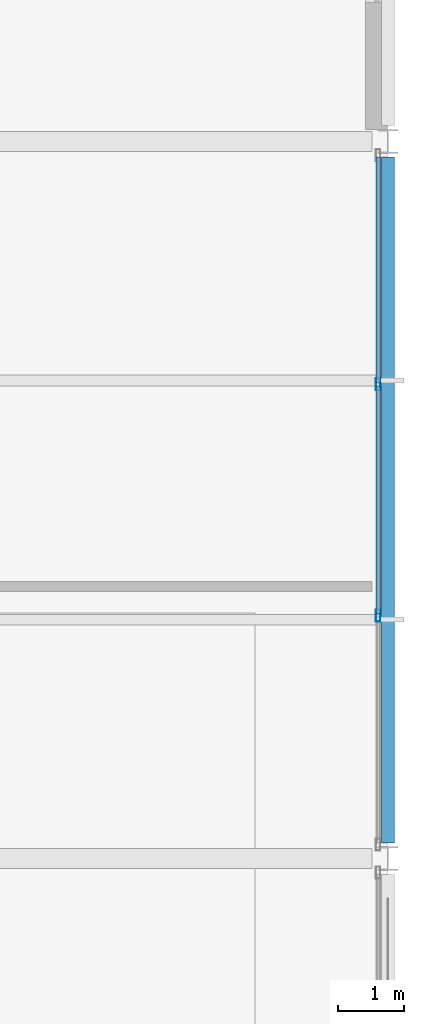
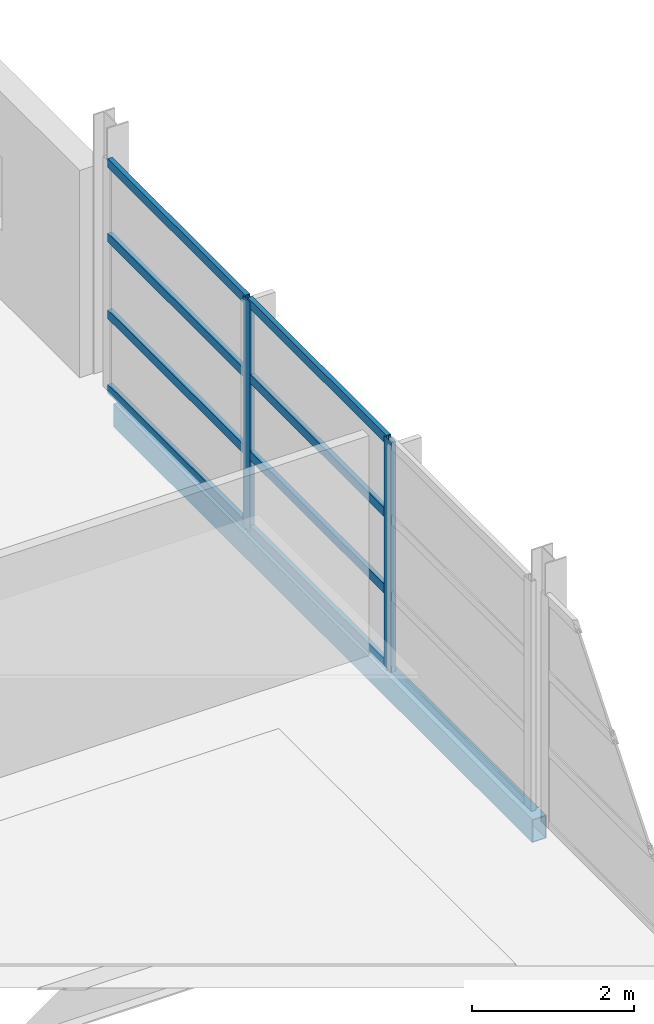
# One storey, part 15 of 33: 10 members, 1 beam, 1 element without a shape of its own.
"""IFC4 building model written with IfcOpenShell, lengths in metres."""

from ifc_helpers import new_model, si_unit, direction, frame, origin, origin_2d, place, context, subcontext, project, spatial, hollow_rectangle, extrude, material, layer, layer_set, material_profile, profile_set, type_object, element, aggregate, save


model = new_model("IFC4")

# Units and contexts
model_context = context("Model", 3, precision=1e-05, world=origin(), true_north=direction((0.0, 1.0)))
body_context = subcontext(model_context, "Body", "Model", "MODEL_VIEW")
ifc_project = project(units=[si_unit("LENGTHUNIT", "METRE"), si_unit("AREAUNIT", "SQUARE_METRE"), si_unit("VOLUMEUNIT", "CUBIC_METRE"), si_unit("PLANEANGLEUNIT", "RADIAN"), si_unit("MASSUNIT", "GRAM", prefix="KILO")], contexts=[model_context])

# Site, building, storey
site_placement = place(None, origin())
site = spatial("IfcSite", under=ifc_project, at=site_placement, CompositionType="ELEMENT")
building_placement = place(site_placement, origin())
building = spatial("IfcBuilding", under=site, at=building_placement, Name="Tamarisk Ironworks Central Station", CompositionType="ELEMENT")
storey_placement = place(building_placement, frame((0.0, 0.0, 21.300048828125)))
storey = spatial("IfcBuildingStorey", under=building, at=storey_placement, Name="L04", CompositionType="ELEMENT", Elevation=21.300048828125)

# Beam
ifc_material_1 = material(Name="Structural steel S355J2", Category="steel")
ifc_material_profile_1 = material_profile(ifc_material_1, hollow_rectangle(XDim=0.199951171875, YDim=0.35009765625, WallThickness=0.012451171875, at=origin_2d()), Name="RHS 350x200x12.5")
ifc_profile_set_1 = profile_set([ifc_material_profile_1], Name="Structural steel S355J2")
beam_type = type_object("IfcBeamType", Name="BM-SP01", PredefinedType="SPANDREL", material=ifc_profile_set_1)
beam_placement = place(storey_placement, frame((180.0, 101.0380859375, -0.39501953125), z_axis=(0.0, 1.0, 0.0), x_axis=(-1.0, 0.0, 0.0)))
element("IfcBeam", 1, at=beam_placement, inside=storey, type_object=beam_type, Name="L04 primary girder Y-0748", PredefinedType="SPANDREL", context=body_context, shape_type="SweptSolid", body=[
    extrude(hollow_rectangle(XDim=0.199951171875, YDim=0.35009765625, WallThickness=0.012451171875, at=origin_2d()), origin(), (0.0, 0.0, 1.0), 10.323974609375),
])

# Curtain wall, members
ifc_material_2 = material(Name="Anodized aluminium alloy 6063-T6", Category="aluminium")
ifc_layer = layer(ifc_material_2, 0.179931640625)
ifc_layer_set = layer_set([ifc_layer], Name="Anodized aluminium alloy 6063-T6")
curtain_wall_type = type_object("IfcCurtainWallType", Name="CW-22", PredefinedType="USERDEFINED", material=ifc_layer_set)
curtain_wall_placement = place(storey_placement, origin())
curtain_wall = element("IfcCurtainWall", 2, at=curtain_wall_placement, inside=storey, type_object=curtain_wall_type, Name="Operations L04 east facade curtain wall 100", ObjectType="GLAZED CURTAIN WALL", PredefinedType="USERDEFINED")
ifc_material_profile_2 = material_profile(ifc_material_2, hollow_rectangle(XDim=0.06494140625, YDim=0.179931640625, WallThickness=0.00390625, at=origin_2d()), Name="ALUM 180x65")
ifc_profile_set_2 = profile_set([ifc_material_profile_2], Name="Anodized aluminium alloy 6063-T6")
member_type_1 = type_object("IfcMemberType", Name="CWM-02", PredefinedType="MULLION", material=ifc_profile_set_2)
member_1_placement = place(storey_placement, frame((179.85009765625, 104.459228515625, 0.0), z_axis=(0.0, 0.0, 1.0), x_axis=(-1.0, 0.0, 0.0)))
member_1 = element("IfcMember", 3, at=member_1_placement, type_object=member_type_1, Name="CW22 mullion 2", PredefinedType="MULLION", context=body_context, shape_type="SweptSolid", body=[
    extrude(hollow_rectangle(XDim=0.06494140625, YDim=0.179931640625, WallThickness=0.00390625, at=origin_2d()), origin(), (0.0, 0.0, 1.0), 3.4599609375),
])
member_2_placement = place(storey_placement, frame((179.85009765625, 107.940673828125, 0.0), z_axis=(0.0, 0.0, 1.0), x_axis=(-1.0, 0.0, 0.0)))
member_2 = element("IfcMember", 4, at=member_2_placement, type_object=member_type_1, Name="CW22 mullion 3", PredefinedType="MULLION", context=body_context, shape_type="SweptSolid", body=[
    extrude(hollow_rectangle(XDim=0.06494140625, YDim=0.179931640625, WallThickness=0.00390625, at=origin_2d()), origin(), (0.0, 0.0, 1.0), 3.4599609375),
])
ifc_material_profile_3 = material_profile(ifc_material_2, hollow_rectangle(XDim=0.06494140625, YDim=0.135009765625, WallThickness=0.00341796875, at=origin_2d()), Name="ALUM 135x65")
ifc_profile_set_3 = profile_set([ifc_material_profile_3], Name="Anodized aluminium alloy 6063-T6")
member_type_2 = type_object("IfcMemberType", Name="CWT-02", PredefinedType="USERDEFINED", material=ifc_profile_set_3)
member_3_placement = place(storey_placement, frame((179.85009765625, 104.48779296875, 0.032470703125), z_axis=(0.0, 1.0, 0.0), x_axis=(-1.0, 0.0, 0.0)))
member_3 = element("IfcMember", 5, at=member_3_placement, type_object=member_type_2, Name="CW22 transom 2.1", ObjectType="TRANSOM", PredefinedType="USERDEFINED", context=body_context, shape_type="SweptSolid", body=[
    extrude(hollow_rectangle(XDim=0.06494140625, YDim=0.135009765625, WallThickness=0.00341796875, at=origin_2d()), origin(), (0.0, 0.0, 1.0), 3.42431640625),
])
member_4_placement = place(storey_placement, frame((179.85009765625, 104.48779296875, 1.1533203125), z_axis=(0.0, 1.0, 0.0), x_axis=(-1.0, 0.0, 0.0)))
member_4 = element("IfcMember", 6, at=member_4_placement, type_object=member_type_2, Name="CW22 transom 2.2", ObjectType="TRANSOM", PredefinedType="USERDEFINED", context=body_context, shape_type="SweptSolid", body=[
    extrude(hollow_rectangle(XDim=0.06494140625, YDim=0.135009765625, WallThickness=0.00341796875, at=origin_2d()), origin(), (0.0, 0.0, 1.0), 3.42431640625),
])
member_5_placement = place(storey_placement, frame((179.85009765625, 104.48779296875, 2.306640625), z_axis=(0.0, 1.0, 0.0), x_axis=(-1.0, 0.0, 0.0)))
member_5 = element("IfcMember", 7, at=member_5_placement, type_object=member_type_2, Name="CW22 transom 2.3", ObjectType="TRANSOM", PredefinedType="USERDEFINED", context=body_context, shape_type="SweptSolid", body=[
    extrude(hollow_rectangle(XDim=0.06494140625, YDim=0.135009765625, WallThickness=0.00341796875, at=origin_2d()), origin(), (0.0, 0.0, 1.0), 3.42431640625),
])
member_6_placement = place(storey_placement, frame((179.85009765625, 104.48779296875, 3.427490234375), z_axis=(0.0, 1.0, 0.0), x_axis=(-1.0, 0.0, 0.0)))
member_6 = element("IfcMember", 8, at=member_6_placement, type_object=member_type_2, Name="CW22 transom 2.4", ObjectType="TRANSOM", PredefinedType="USERDEFINED", context=body_context, shape_type="SweptSolid", body=[
    extrude(hollow_rectangle(XDim=0.06494140625, YDim=0.135009765625, WallThickness=0.00341796875, at=origin_2d()), origin(), (0.0, 0.0, 1.0), 3.42431640625),
])
member_7_placement = place(storey_placement, frame((179.85009765625, 107.96923828125, 0.032470703125), z_axis=(0.0, 1.0, 0.0), x_axis=(-1.0, 0.0, 0.0)))
member_7 = element("IfcMember", 9, at=member_7_placement, type_object=member_type_2, Name="CW22 transom 3.1", ObjectType="TRANSOM", PredefinedType="USERDEFINED", context=body_context, shape_type="SweptSolid", body=[
    extrude(hollow_rectangle(XDim=0.06494140625, YDim=0.135009765625, WallThickness=0.00341796875, at=origin_2d()), origin(), (0.0, 0.0, 1.0), 3.391845703125),
])
member_8_placement = place(storey_placement, frame((179.85009765625, 107.96923828125, 1.1533203125), z_axis=(0.0, 1.0, 0.0), x_axis=(-1.0, 0.0, 0.0)))
member_8 = element("IfcMember", 10, at=member_8_placement, type_object=member_type_2, Name="CW22 transom 3.2", ObjectType="TRANSOM", PredefinedType="USERDEFINED", context=body_context, shape_type="SweptSolid", body=[
    extrude(hollow_rectangle(XDim=0.06494140625, YDim=0.135009765625, WallThickness=0.00341796875, at=origin_2d()), origin(), (0.0, 0.0, 1.0), 3.391845703125),
])
member_9_placement = place(storey_placement, frame((179.85009765625, 107.96923828125, 2.306640625), z_axis=(0.0, 1.0, 0.0), x_axis=(-1.0, 0.0, 0.0)))
member_9 = element("IfcMember", 11, at=member_9_placement, type_object=member_type_2, Name="CW22 transom 3.3", ObjectType="TRANSOM", PredefinedType="USERDEFINED", context=body_context, shape_type="SweptSolid", body=[
    extrude(hollow_rectangle(XDim=0.06494140625, YDim=0.135009765625, WallThickness=0.00341796875, at=origin_2d()), origin(), (0.0, 0.0, 1.0), 3.391845703125),
])
member_10_placement = place(storey_placement, frame((179.85009765625, 107.96923828125, 3.427490234375), z_axis=(0.0, 1.0, 0.0), x_axis=(-1.0, 0.0, 0.0)))
member_10 = element("IfcMember", 12, at=member_10_placement, type_object=member_type_2, Name="CW22 transom 3.4", ObjectType="TRANSOM", PredefinedType="USERDEFINED", context=body_context, shape_type="SweptSolid", body=[
    extrude(hollow_rectangle(XDim=0.06494140625, YDim=0.135009765625, WallThickness=0.00341796875, at=origin_2d()), origin(), (0.0, 0.0, 1.0), 3.391845703125),
])
aggregate(curtain_wall, [member_1, member_2, member_3, member_4, member_5, member_6, member_7, member_8, member_9, member_10])

save(model, "model.ifc")
